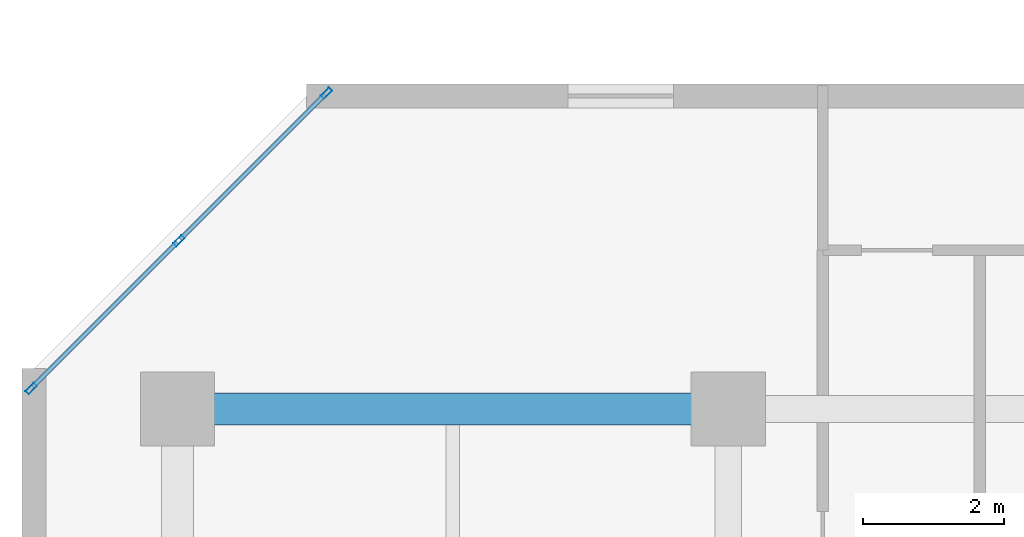
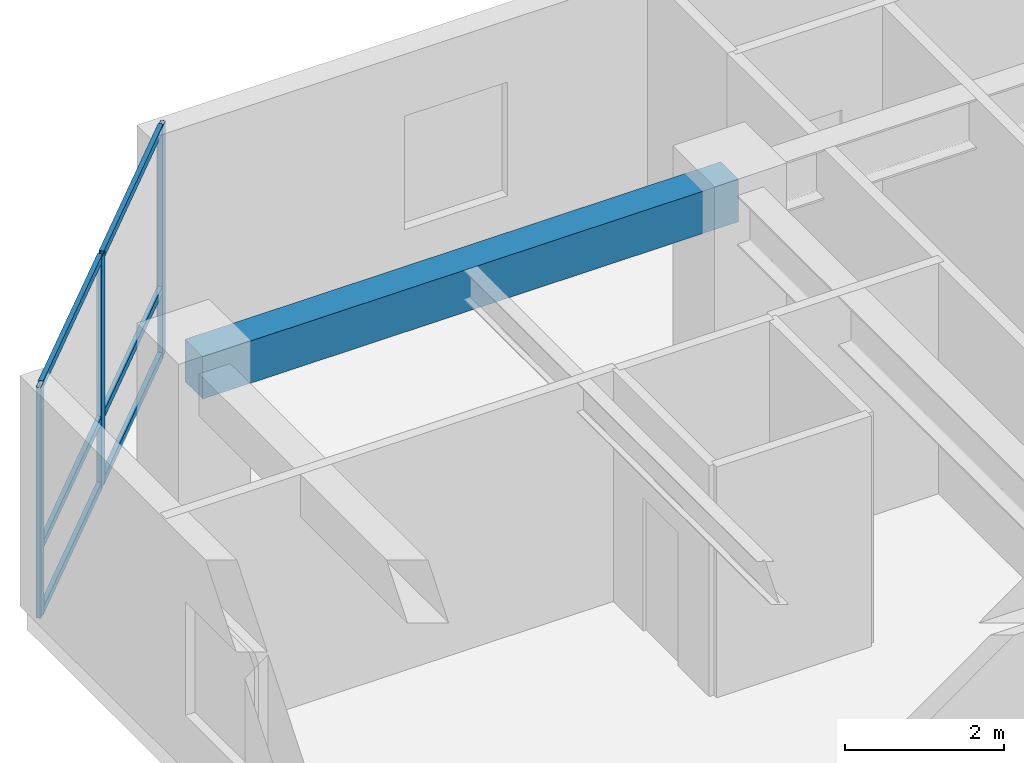
# One storey, part 2 of 10: 9 members, 1 beam, 1 element without a shape of its own.
"""IFC4 building model written with IfcOpenShell, lengths in metres."""

from ifc_helpers import new_model, si_unit, direction, frame, origin, origin_2d, place, context, subcontext, project, spatial, rectangle, hollow_rectangle, extrude, material, layer, layer_set, material_profile, profile_set, type_object, element, aggregate, save


model = new_model("IFC4")

# Units and contexts
model_context = context("Model", 3, precision=1e-05, world=origin(), true_north=direction((0.0, 1.0)))
body_context = subcontext(model_context, "Body", "Model", "MODEL_VIEW")
ifc_project = project(units=[si_unit("LENGTHUNIT", "METRE"), si_unit("AREAUNIT", "SQUARE_METRE"), si_unit("VOLUMEUNIT", "CUBIC_METRE"), si_unit("PLANEANGLEUNIT", "RADIAN"), si_unit("MASSUNIT", "GRAM", prefix="KILO")], contexts=[model_context])

# Site, building, storey
site_placement = place(None, origin())
site = spatial("IfcSite", under=ifc_project, at=site_placement, CompositionType="ELEMENT")
building_placement = place(site_placement, origin())
building = spatial("IfcBuilding", under=site, at=building_placement, Name="Kestravale Grand Hotel", CompositionType="ELEMENT")
storey_placement = place(building_placement, frame((0.0, 0.0, 138.39990234375)))
storey = spatial("IfcBuildingStorey", under=building, at=storey_placement, Name="L34", CompositionType="ELEMENT", Elevation=138.39990234375)

# Beam
ifc_material_1 = material(Name="Concrete f'c 45 MPa", Category="concrete")
ifc_material_profile_1 = material_profile(ifc_material_1, rectangle(XDim=0.449951171875, YDim=0.64990234375, at=origin_2d()))
ifc_profile_set_1 = profile_set([ifc_material_profile_1], Name="Concrete f'c 45 MPa")
beam_type = type_object("IfcBeamType", Name="B-FLR-RC650", PredefinedType="SPANDREL", material=ifc_profile_set_1)
beam_placement = place(storey_placement, frame((7.800048828125, 38.39990234375, 3.22509765625), z_axis=(1.0, 0.0, 0.0), x_axis=(0.0, 1.0, 0.0)))
element("IfcBeam", 1, at=beam_placement, inside=storey, type_object=beam_type, Name="L34 spandrel F:2-3", PredefinedType="SPANDREL", context=body_context, shape_type="SweptSolid", body=[
    extrude(rectangle(XDim=0.449951171875, YDim=0.64990234375, at=origin_2d()), origin(), (0.0, 0.0, 1.0), 7.800048828125),
])

# Curtain wall, members
ifc_material_2 = material(Name="Thermally broken champagne-bronze aluminium and low-E glazing", Category="aluminium")
ifc_layer = layer(ifc_material_2, 0.179931640625)
ifc_layer_set = layer_set([ifc_layer], Name="CW-Z3")
curtain_wall_type = type_object("IfcCurtainWallType", Name="CW-Z3", PredefinedType="NOTDEFINED", material=ifc_layer_set)
curtain_wall_placement = place(storey_placement, origin())
curtain_wall = element("IfcCurtainWall", 2, at=curtain_wall_placement, inside=storey, type_object=curtain_wall_type, Name="L34 unitised curtain wall 18", PredefinedType="NOTDEFINED")
ifc_material_3 = material(Name="Aluminium 6063-T6 anodised", Category="aluminium")
ifc_material_profile_2 = material_profile(ifc_material_3, hollow_rectangle(XDim=0.06494140625, YDim=0.1650390625, WallThickness=0.00341796875, at=origin_2d()))
ifc_profile_set_2 = profile_set([ifc_material_profile_2], Name="Aluminium 6063-T6 anodised")
member_type_1 = type_object("IfcMemberType", Name="CW-MUL-165", PredefinedType="MULLION", material=ifc_profile_set_2)
member_1_placement = place(storey_placement, frame((9.911376953125, 42.87109375, 0.0), z_axis=(0.0, 0.0, 1.0), x_axis=(0.707106781187, -0.707106781187, 0.0)))
member_1 = element("IfcMember", 3, at=member_1_placement, type_object=member_type_1, Name="CW-Z3 mullion 1", PredefinedType="MULLION", context=body_context, shape_type="SweptSolid", body=[
    extrude(hollow_rectangle(XDim=0.06494140625, YDim=0.1650390625, WallThickness=0.00341796875, at=origin_2d()), origin(), (0.0, 0.0, 1.0), 3.550048828125),
])
member_2_placement = place(storey_placement, frame((7.8203125, 40.77978515625, 0.0), z_axis=(0.0, 0.0, 1.0), x_axis=(0.707106781187, -0.707106781187, 0.0)))
member_2 = element("IfcMember", 4, at=member_2_placement, type_object=member_type_1, Name="CW-Z3 mullion 2", PredefinedType="MULLION", context=body_context, shape_type="SweptSolid", body=[
    extrude(hollow_rectangle(XDim=0.06494140625, YDim=0.1650390625, WallThickness=0.00341796875, at=origin_2d()), origin(), (0.0, 0.0, 1.0), 3.550048828125),
])
member_3_placement = place(storey_placement, frame((5.72900390625, 38.6884765625, 0.0), z_axis=(0.0, 0.0, 1.0), x_axis=(0.707106781187, -0.707106781187, 0.0)))
member_3 = element("IfcMember", 5, at=member_3_placement, type_object=member_type_1, Name="CW-Z3 mullion 3", PredefinedType="MULLION", context=body_context, shape_type="SweptSolid", body=[
    extrude(hollow_rectangle(XDim=0.06494140625, YDim=0.1650390625, WallThickness=0.00341796875, at=origin_2d()), origin(), (0.0, 0.0, 1.0), 3.550048828125),
])
ifc_material_4 = material(Name="Aluminium 6063-T6 anodised", Category="aluminium")
ifc_material_profile_3 = material_profile(ifc_material_4, hollow_rectangle(XDim=0.06494140625, YDim=0.114990234375, WallThickness=0.003173828125, at=origin_2d()))
ifc_profile_set_3 = profile_set([ifc_material_profile_3], Name="Aluminium 6063-T6 anodised")
member_type_2 = type_object("IfcMemberType", Name="CW-TRN-115", PredefinedType="USERDEFINED", material=ifc_profile_set_3)
member_4_placement = place(storey_placement, frame((9.888427734375, 42.84814453125, 0.03271484375), z_axis=(-0.707064577195, -0.707148982659, 0.0), x_axis=(0.707148982659, -0.707064577195, 0.0)))
member_4 = element("IfcMember", 6, at=member_4_placement, type_object=member_type_2, Name="CW-Z3 transom 1.1", ObjectType="TRANSOM", PredefinedType="USERDEFINED", context=body_context, shape_type="SweptSolid", body=[
    extrude(hollow_rectangle(XDim=0.06494140625, YDim=0.114990234375, WallThickness=0.003173828125, at=origin_2d()), origin(), (0.0, 0.0, 1.0), 2.892578125),
])
member_5_placement = place(storey_placement, frame((9.888427734375, 42.84814453125, 1.050048828125), z_axis=(-0.707064577195, -0.707148982659, 0.0), x_axis=(0.707148982659, -0.707064577195, 0.0)))
member_5 = element("IfcMember", 7, at=member_5_placement, type_object=member_type_2, Name="CW-Z3 transom 1.2", ObjectType="TRANSOM", PredefinedType="USERDEFINED", context=body_context, shape_type="SweptSolid", body=[
    extrude(hollow_rectangle(XDim=0.06494140625, YDim=0.114990234375, WallThickness=0.003173828125, at=origin_2d()), origin(), (0.0, 0.0, 1.0), 2.892578125),
])
member_6_placement = place(storey_placement, frame((9.888427734375, 42.84814453125, 3.517578125), z_axis=(-0.707064577195, -0.707148982659, 0.0), x_axis=(0.707148982659, -0.707064577195, 0.0)))
member_6 = element("IfcMember", 8, at=member_6_placement, type_object=member_type_2, Name="CW-Z3 transom 1.3", ObjectType="TRANSOM", PredefinedType="USERDEFINED", context=body_context, shape_type="SweptSolid", body=[
    extrude(hollow_rectangle(XDim=0.06494140625, YDim=0.114990234375, WallThickness=0.003173828125, at=origin_2d()), origin(), (0.0, 0.0, 1.0), 2.892578125),
])
member_7_placement = place(storey_placement, frame((7.797119140625, 40.7568359375, 0.03271484375), z_axis=(-0.707106781187, -0.707106781187, 0.0), x_axis=(0.707106781187, -0.707106781187, 0.0)))
member_7 = element("IfcMember", 9, at=member_7_placement, type_object=member_type_2, Name="CW-Z3 transom 2.1", ObjectType="TRANSOM", PredefinedType="USERDEFINED", context=body_context, shape_type="SweptSolid", body=[
    extrude(hollow_rectangle(XDim=0.06494140625, YDim=0.114990234375, WallThickness=0.003173828125, at=origin_2d()), origin(), (0.0, 0.0, 1.0), 2.892333984375),
])
member_8_placement = place(storey_placement, frame((7.797119140625, 40.7568359375, 1.050048828125), z_axis=(-0.707106781187, -0.707106781187, 0.0), x_axis=(0.707106781187, -0.707106781187, 0.0)))
member_8 = element("IfcMember", 10, at=member_8_placement, type_object=member_type_2, Name="CW-Z3 transom 2.2", ObjectType="TRANSOM", PredefinedType="USERDEFINED", context=body_context, shape_type="SweptSolid", body=[
    extrude(hollow_rectangle(XDim=0.06494140625, YDim=0.114990234375, WallThickness=0.003173828125, at=origin_2d()), origin(), (0.0, 0.0, 1.0), 2.892333984375),
])
member_9_placement = place(storey_placement, frame((7.797119140625, 40.7568359375, 3.517578125), z_axis=(-0.707106781187, -0.707106781187, 0.0), x_axis=(0.707106781187, -0.707106781187, 0.0)))
member_9 = element("IfcMember", 11, at=member_9_placement, type_object=member_type_2, Name="CW-Z3 transom 2.3", ObjectType="TRANSOM", PredefinedType="USERDEFINED", context=body_context, shape_type="SweptSolid", body=[
    extrude(hollow_rectangle(XDim=0.06494140625, YDim=0.114990234375, WallThickness=0.003173828125, at=origin_2d()), origin(), (0.0, 0.0, 1.0), 2.892333984375),
])
aggregate(curtain_wall, [member_1, member_2, member_3, member_4, member_5, member_6, member_7, member_8, member_9])

save(model, "model.ifc")
